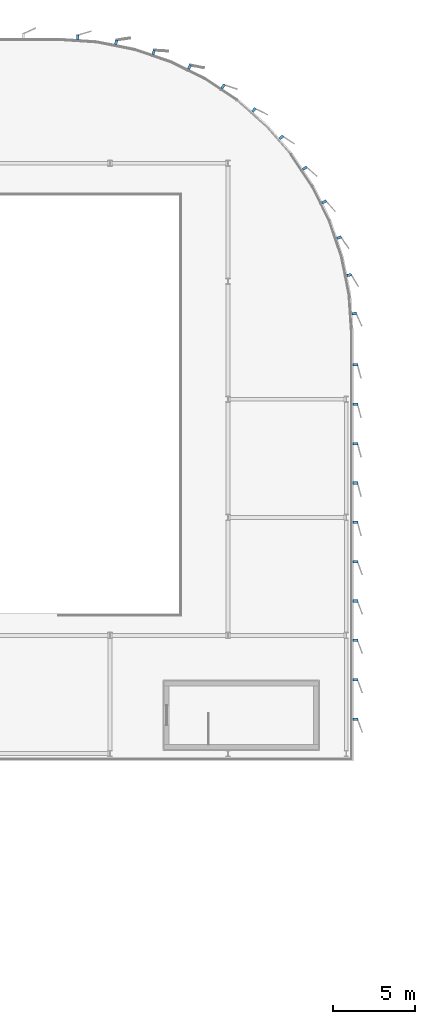
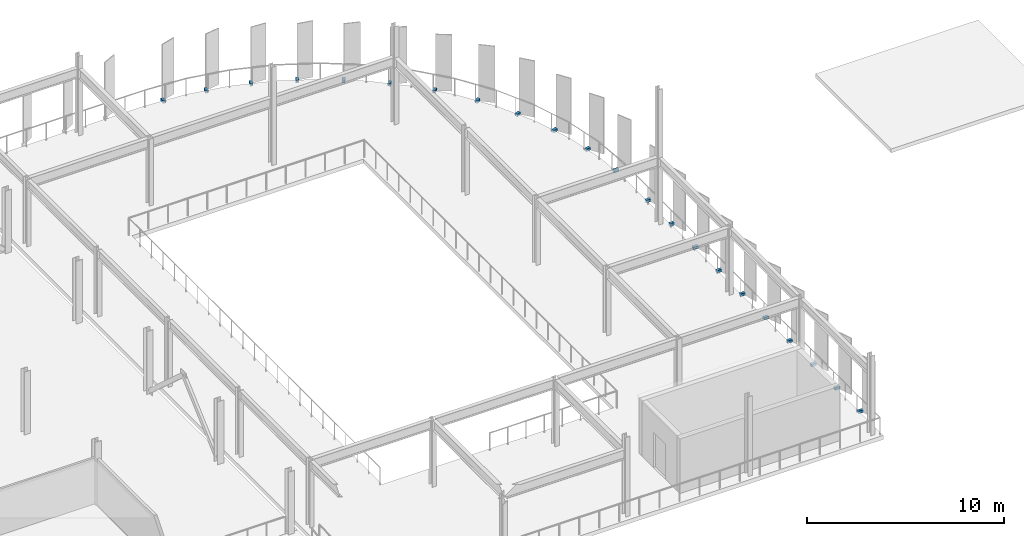
# One storey, part 33 of 40: 22 discrete accessories.
"""IFC4 building model written with IfcOpenShell, lengths in metres."""

from ifc_helpers import new_model, si_unit, direction, frame, origin, origin_2d, place, context, subcontext, project, spatial, rectangle, extrude, material, type_object, element, save


model = new_model("IFC4")

# Units and contexts
model_context = context("Model", 3, precision=1e-05, world=origin(), true_north=direction((0.0, 1.0)))
body_context = subcontext(model_context, "Body", "Model", "MODEL_VIEW")
ifc_project = project(units=[si_unit("LENGTHUNIT", "METRE"), si_unit("AREAUNIT", "SQUARE_METRE"), si_unit("VOLUMEUNIT", "CUBIC_METRE"), si_unit("PLANEANGLEUNIT", "RADIAN"), si_unit("MASSUNIT", "GRAM", prefix="KILO")], contexts=[model_context])

# Site, building, storey
site_placement = place(None, origin())
site = spatial("IfcSite", under=ifc_project, at=site_placement, CompositionType="ELEMENT")
building_placement = place(site_placement, origin())
building = spatial("IfcBuilding", under=site, at=building_placement, Name="Vaelcorin Mobility Hub", CompositionType="ELEMENT")
storey_placement = place(building_placement, frame((0.0, 0.0, 17.10009765625)))
storey = spatial("IfcBuildingStorey", under=building, at=storey_placement, Name="L04", CompositionType="ELEMENT", Elevation=17.10009765625)

# Discrete accessories
ifc_material = material(Name="Galvanised structural steel ASTM A36", Category="steel")
discrete_accessory_type = type_object("IfcDiscreteAccessoryType", Name="ACC-BRK-FIN", PredefinedType="BRACKET", material=ifc_material)
for number, where, z_axis, x_axis, name in (
    (1, (152.89306640625, 103.632080078125, -0.16015625), (0.0, 0.0, 1.0), (0.997857781587, 0.065420545144, 0.0), "Aerofoil Outrigger Bracket FIN-V2E-L04-ABK-01"),
    (2, (152.583984375, 105.97705078125, -0.16015625), (0.0, 0.0, 1.0), (0.980826118513, 0.19488490255, 0.0), "Aerofoil Outrigger Bracket FIN-V2E-L04-ABK-02"),
    (3, (151.971923828125, 108.261962890625, -0.16015625), (0.0, 0.0, 1.0), (0.946885238849, 0.321571678558, 0.0), "Aerofoil Outrigger Bracket FIN-V2E-L04-ABK-03"),
    (4, (151.06689453125, 110.447021484375, -0.16015625), (0.0, 0.0, 1.0), (0.896795533934, 0.442445217305, 0.0), "Aerofoil Outrigger Bracket FIN-V2E-L04-ABK-04"),
    (5, (149.884033203125, 112.49609375, -0.16015625), (0.0, 0.0, 1.0), (0.831527786922, 0.555483158679, 0.0), "Aerofoil Outrigger Bracket FIN-V2E-L04-ABK-05"),
    (6, (148.444091796875, 114.3720703125, -0.16015625), (0.0, 0.0, 1.0), (0.751897343393, 0.659280202189, 0.0), "Aerofoil Outrigger Bracket FIN-V2E-L04-ABK-06"),
    (7, (146.77197265625, 116.0439453125, -0.16015625), (0.0, 0.0, 1.0), (0.659280202189, 0.751897343393, 0.0), "Aerofoil Outrigger Bracket FIN-V2E-L04-ABK-07"),
    (8, (144.89599609375, 117.48388671875, -0.16015625), (0.0, 0.0, 1.0), (0.555483158679, 0.831527786922, 0.0), "Aerofoil Outrigger Bracket FIN-V2E-L04-ABK-08"),
    (9, (142.846923828125, 118.6669921875, -0.16015625), (0.0, 0.0, 1.0), (0.442445217305, 0.896795533934, 0.0), "Aerofoil Outrigger Bracket FIN-V2E-L04-ABK-09"),
    (10, (140.662109375, 119.572021484375, -0.16015625), (0.0, 0.0, 1.0), (0.321571678558, 0.946885238849, 0.0), "Aerofoil Outrigger Bracket FIN-V2E-L04-ABK-10"),
    (11, (138.376953125, 120.18408203125, -0.16015625), (0.0, 0.0, 1.0), (0.19488490255, 0.980826118513, 0.0), "Aerofoil Outrigger Bracket FIN-V2E-L04-ABK-11"),
    (12, (136.031982421875, 120.492919921875, -0.16015625), (0.0, 0.0, 1.0), (0.065420545144, 0.997857781587, 0.0), "Aerofoil Outrigger Bracket FIN-V2E-L04-ABK-12"),
    (13, (152.969970703125, 100.5, -0.16015625), (0.0, 0.0, 1.0), (1.0, 0.0, 0.0), "Aerofoil Outrigger Bracket FIN-V2E-L04-E-BK-01"),
    (14, (152.969970703125, 98.10009765625, -0.16015625), (0.0, 0.0, 1.0), (1.0, 0.0, 0.0), "Aerofoil Outrigger Bracket FIN-V2E-L04-E-BK-02"),
    (15, (152.969970703125, 95.699951171875, -0.16015625), (0.0, 0.0, 1.0), (1.0, 0.0, 0.0), "Aerofoil Outrigger Bracket FIN-V2E-L04-E-BK-03"),
    (16, (152.969970703125, 93.300048828125, -0.16015625), (0.0, 0.0, 1.0), (1.0, 0.0, 0.0), "Aerofoil Outrigger Bracket FIN-V2E-L04-E-BK-04"),
    (17, (152.969970703125, 90.89990234375, -0.16015625), (0.0, 0.0, 1.0), (1.0, 0.0, 0.0), "Aerofoil Outrigger Bracket FIN-V2E-L04-E-BK-05"),
    (18, (152.969970703125, 88.5, -0.16015625), (0.0, 0.0, 1.0), (1.0, 0.0, 0.0), "Aerofoil Outrigger Bracket FIN-V2E-L04-E-BK-06"),
    (19, (152.969970703125, 86.10009765625, -0.16015625), (0.0, 0.0, 1.0), (1.0, 0.0, 0.0), "Aerofoil Outrigger Bracket FIN-V2E-L04-E-BK-07"),
    (20, (152.969970703125, 83.699951171875, -0.16015625), (0.0, 0.0, 1.0), (1.0, 0.0, 0.0), "Aerofoil Outrigger Bracket FIN-V2E-L04-E-BK-08"),
    (21, (152.969970703125, 81.300048828125, -0.16015625), (0.0, 0.0, 1.0), (1.0, 0.0, 0.0), "Aerofoil Outrigger Bracket FIN-V2E-L04-E-BK-09"),
    (22, (152.969970703125, 78.89990234375, -0.16015625), (0.0, 0.0, 1.0), (1.0, 0.0, 0.0), "Aerofoil Outrigger Bracket FIN-V2E-L04-E-BK-10"),
):
    element("IfcDiscreteAccessory", number, at=place(storey_placement, frame(where, z_axis=z_axis, x_axis=x_axis)), inside=storey, type_object=discrete_accessory_type, Name=name, PredefinedType="BRACKET", context=body_context, shape_type="SweptSolid", body=[
        extrude(rectangle(XDim=0.280029296875, YDim=0.159912109375, at=origin_2d()), origin(), (0.0, 0.0, 1.0), 0.159912109375),
    ])

save(model, "model.ifc")
